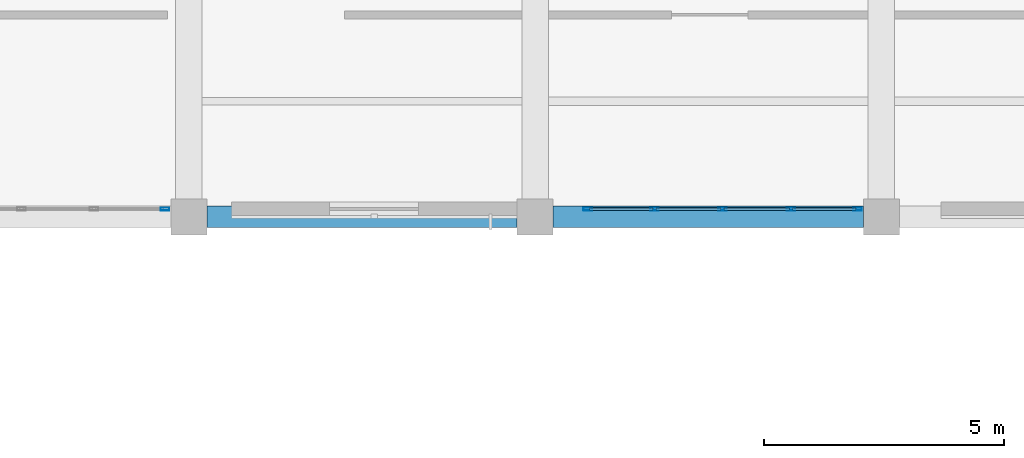
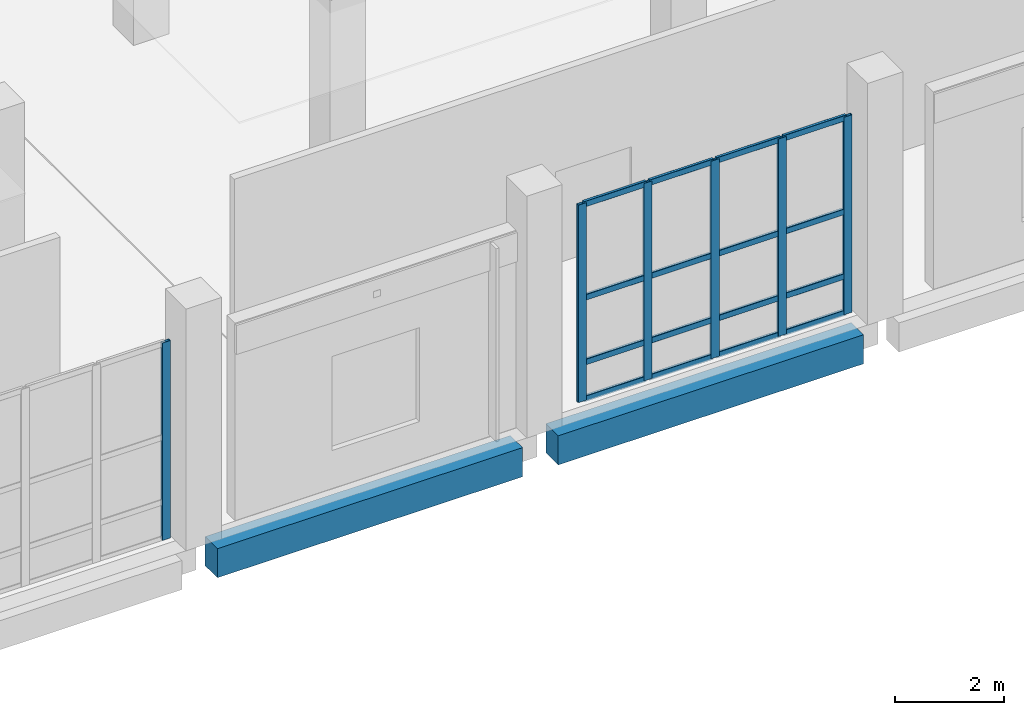
# One storey, part 55 of 137: 22 members, 2 beams, 2 elements without a shape of their own.
"""IFC4 building model written with IfcOpenShell, lengths in metres."""

from ifc_helpers import new_model, si_unit, direction, frame, origin, origin_2d, place, context, subcontext, project, spatial, rectangle, hollow_rectangle, extrude, material, material_profile, profile_set, type_object, element, aggregate, save


model = new_model("IFC4")

# Units and contexts
model_context = context("Model", 3, precision=1e-05, world=origin(), true_north=direction((0.0, 1.0)))
body_context = subcontext(model_context, "Body", "Model", "MODEL_VIEW")
ifc_project = project(units=[si_unit("LENGTHUNIT", "METRE"), si_unit("AREAUNIT", "SQUARE_METRE"), si_unit("VOLUMEUNIT", "CUBIC_METRE"), si_unit("PLANEANGLEUNIT", "RADIAN"), si_unit("MASSUNIT", "GRAM", prefix="KILO")], contexts=[model_context])

# Site, building, storey
site_placement = place(None, origin())
site = spatial("IfcSite", under=ifc_project, at=site_placement, CompositionType="ELEMENT")
building_placement = place(site_placement, origin())
building = spatial("IfcBuilding", under=site, at=building_placement, Name="Kalmorath City Hall", CompositionType="ELEMENT")
storey_placement = place(building_placement, origin())
storey = spatial("IfcBuildingStorey", under=building, at=storey_placement, Name="L00", CompositionType="ELEMENT", Elevation=0.0)

# Beams
ifc_material_1 = material(Name="Concrete C40/50", Category="concrete")
ifc_material_profile_1 = material_profile(ifc_material_1, rectangle(XDim=0.449951171875, YDim=0.64990234375, at=origin_2d()), Name="RC-BM-450X650")
ifc_profile_set_1 = profile_set([ifc_material_profile_1], Name="Concrete C40/50")
beam_type = type_object("IfcBeamType", Name="Concrete spandrel beam 450x650", PredefinedType="SPANDREL", material=ifc_profile_set_1)
for number, where, z_axis, x_axis, name in (
    (1, (65.175048828125, 93.60009765625, -0.62890625), (1.0, 0.0, 0.0), (0.0, 1.0, 0.0), "L00 girder CB5 X10-11/14"),
    (2, (72.375, 93.60009765625, -0.62890625), (1.0, 0.0, 0.0), (0.0, 1.0, 0.0), "L00 girder CB5 X11-12/14"),
):
    element("IfcBeam", number, at=place(storey_placement, frame(where, z_axis=z_axis, x_axis=x_axis)), inside=storey, type_object=beam_type, Name=name, PredefinedType="SPANDREL", context=body_context, shape_type="SweptSolid", body=[
        extrude(rectangle(XDim=0.449951171875, YDim=0.64990234375, at=origin_2d()), origin(), (0.0, 0.0, 1.0), 6.449951171875),
    ])

# Curtain wall, members
ifc_material_2 = material(Name="Anodised aluminium and laminated glass", Category="aluminium")
curtain_wall_type_1 = type_object("IfcCurtainWallType", Name="Unitised hurricane curtain wall 5674x4411 M1550", PredefinedType="NOTDEFINED", material=ifc_material_2)
curtain_wall_1_placement = place(storey_placement, origin())
curtain_wall_1 = element("IfcCurtainWall", 3, at=curtain_wall_1_placement, inside=storey, type_object=curtain_wall_type_1, Name="L00 curtain wall CW-57X44M16 #51", PredefinedType="NOTDEFINED")
ifc_material_3 = material(Name="Anodised aluminium framing", Category="aluminium")
ifc_material_profile_2 = material_profile(ifc_material_3, hollow_rectangle(XDim=0.06494140625, YDim=0.179931640625, WallThickness=0.00390625, InnerFilletRadius=0.00390625, OuterFilletRadius=0.008056640625, at=origin_2d()), Name="ALU-MUL-180X65X4")
ifc_profile_set_2 = profile_set([ifc_material_profile_2], Name="Anodised aluminium framing")
member_type_1 = type_object("IfcMemberType", Name="Curtain-wall courtyard mullion 180x65", PredefinedType="MULLION", material=ifc_profile_set_2)
member_1_placement = place(storey_placement, frame((78.702392578125, 93.760009765625, 0.0), z_axis=(0.0, 0.0, 1.0), x_axis=(0.0, -1.0, 0.0)))
member_1 = element("IfcMember", 4, at=member_1_placement, type_object=member_type_1, Name="CW-57X44M16 mullion 1", PredefinedType="MULLION", context=body_context, shape_type="SweptSolid", body=[
    extrude(hollow_rectangle(XDim=0.06494140625, YDim=0.179931640625, WallThickness=0.00390625, InnerFilletRadius=0.00390625, OuterFilletRadius=0.008056640625, at=origin_2d()), origin(), (0.0, 0.0, 1.0), 4.410888671875),
])
member_2_placement = place(storey_placement, frame((77.316650390625, 93.760009765625, 0.0), z_axis=(0.0, 0.0, 1.0), x_axis=(0.0, -1.0, 0.0)))
member_2 = element("IfcMember", 5, at=member_2_placement, type_object=member_type_1, Name="CW-57X44M16 mullion 2", PredefinedType="MULLION", context=body_context, shape_type="SweptSolid", body=[
    extrude(hollow_rectangle(XDim=0.06494140625, YDim=0.179931640625, WallThickness=0.00390625, InnerFilletRadius=0.00390625, OuterFilletRadius=0.008056640625, at=origin_2d()), origin(), (0.0, 0.0, 1.0), 4.410888671875),
])
member_3_placement = place(storey_placement, frame((75.898193359375, 93.760009765625, 0.0), z_axis=(0.0, 0.0, 1.0), x_axis=(0.0, -1.0, 0.0)))
member_3 = element("IfcMember", 6, at=member_3_placement, type_object=member_type_1, Name="CW-57X44M16 mullion 3", PredefinedType="MULLION", context=body_context, shape_type="SweptSolid", body=[
    extrude(hollow_rectangle(XDim=0.06494140625, YDim=0.179931640625, WallThickness=0.00390625, InnerFilletRadius=0.00390625, OuterFilletRadius=0.008056640625, at=origin_2d()), origin(), (0.0, 0.0, 1.0), 4.410888671875),
])
member_4_placement = place(storey_placement, frame((74.479736328125, 93.760009765625, 0.0), z_axis=(0.0, 0.0, 1.0), x_axis=(0.0, -1.0, 0.0)))
member_4 = element("IfcMember", 7, at=member_4_placement, type_object=member_type_1, Name="CW-57X44M16 mullion 4", PredefinedType="MULLION", context=body_context, shape_type="SweptSolid", body=[
    extrude(hollow_rectangle(XDim=0.06494140625, YDim=0.179931640625, WallThickness=0.00390625, InnerFilletRadius=0.00390625, OuterFilletRadius=0.008056640625, at=origin_2d()), origin(), (0.0, 0.0, 1.0), 4.410888671875),
])
member_5_placement = place(storey_placement, frame((73.093994140625, 93.760009765625, 0.0), z_axis=(0.0, 0.0, 1.0), x_axis=(0.0, -1.0, 0.0)))
member_5 = element("IfcMember", 8, at=member_5_placement, type_object=member_type_1, Name="CW-57X44M16 mullion 5", PredefinedType="MULLION", context=body_context, shape_type="SweptSolid", body=[
    extrude(hollow_rectangle(XDim=0.06494140625, YDim=0.179931640625, WallThickness=0.00390625, InnerFilletRadius=0.00390625, OuterFilletRadius=0.008056640625, at=origin_2d()), origin(), (0.0, 0.0, 1.0), 4.410888671875),
])

# Curtain wall, member
ifc_material_4 = material(Name="Anodised aluminium and laminated glass", Category="aluminium")
curtain_wall_type_2 = type_object("IfcCurtainWallType", Name="Unitised hurricane curtain wall 6027x4411 M1550", PredefinedType="NOTDEFINED", material=ifc_material_4)
curtain_wall_2_placement = place(storey_placement, origin())
curtain_wall_2 = element("IfcCurtainWall", 9, at=curtain_wall_2_placement, inside=storey, type_object=curtain_wall_type_2, Name="L00 curtain wall CW-60X44M16 #52", PredefinedType="NOTDEFINED")
member_6_placement = place(storey_placement, frame((64.302490234375, 93.760009765625, 0.0), z_axis=(0.0, 0.0, 1.0), x_axis=(0.0, -1.0, 0.0)))
member_6 = element("IfcMember", 10, at=member_6_placement, type_object=member_type_1, Name="CW-60X44M16 mullion 1", PredefinedType="MULLION", context=body_context, shape_type="SweptSolid", body=[
    extrude(hollow_rectangle(XDim=0.06494140625, YDim=0.179931640625, WallThickness=0.00390625, InnerFilletRadius=0.00390625, OuterFilletRadius=0.008056640625, at=origin_2d()), origin(), (0.0, 0.0, 1.0), 4.410888671875),
])
aggregate(curtain_wall_2, [member_6])

# Member
ifc_material_5 = material(Name="Anodised aluminium framing", Category="aluminium")
ifc_material_profile_3 = material_profile(ifc_material_5, hollow_rectangle(XDim=0.06005859375, YDim=0.1298828125, WallThickness=0.00341796875, InnerFilletRadius=0.00341796875, OuterFilletRadius=0.007080078125, at=origin_2d()), Name="ALU-TRN-130X60X3.5")
ifc_profile_set_3 = profile_set([ifc_material_profile_3], Name="Anodised aluminium framing")
member_type_2 = type_object("IfcMemberType", Name="Curtain-wall courtyard transom 130x60", PredefinedType="USERDEFINED", material=ifc_profile_set_3)
member_7_placement = place(storey_placement, frame((78.669921875, 93.760009765625, 0.030029296875), z_axis=(-1.0, 0.0, 0.0), x_axis=(0.0, -1.0, 0.0)))
member_7 = element("IfcMember", 11, at=member_7_placement, type_object=member_type_2, Name="CW-57X44M16 transom 1.1", ObjectType="TRANSOM", PredefinedType="USERDEFINED", context=body_context, shape_type="SweptSolid", body=[
    extrude(hollow_rectangle(XDim=0.06005859375, YDim=0.1298828125, WallThickness=0.00341796875, InnerFilletRadius=0.00341796875, OuterFilletRadius=0.007080078125, at=origin_2d()), origin(), (0.0, 0.0, 1.0), 1.32080078125),
])

member_8_placement = place(storey_placement, frame((78.669921875, 93.760009765625, 0.85009765625), z_axis=(-1.0, 0.0, 0.0), x_axis=(0.0, -1.0, 0.0)))
member_8 = element("IfcMember", 12, at=member_8_placement, type_object=member_type_2, Name="CW-57X44M16 transom 1.2", ObjectType="TRANSOM", PredefinedType="USERDEFINED", context=body_context, shape_type="SweptSolid", body=[
    extrude(hollow_rectangle(XDim=0.06005859375, YDim=0.1298828125, WallThickness=0.00341796875, InnerFilletRadius=0.00341796875, OuterFilletRadius=0.007080078125, at=origin_2d()), origin(), (0.0, 0.0, 1.0), 1.32080078125),
])

member_9_placement = place(storey_placement, frame((78.669921875, 93.760009765625, 2.2939453125), z_axis=(-1.0, 0.0, 0.0), x_axis=(0.0, -1.0, 0.0)))
member_9 = element("IfcMember", 13, at=member_9_placement, type_object=member_type_2, Name="CW-57X44M16 transom 1.3", ObjectType="TRANSOM", PredefinedType="USERDEFINED", context=body_context, shape_type="SweptSolid", body=[
    extrude(hollow_rectangle(XDim=0.06005859375, YDim=0.1298828125, WallThickness=0.00341796875, InnerFilletRadius=0.00341796875, OuterFilletRadius=0.007080078125, at=origin_2d()), origin(), (0.0, 0.0, 1.0), 1.32080078125),
])

member_10_placement = place(storey_placement, frame((78.669921875, 93.760009765625, 4.381103515625), z_axis=(-1.0, 0.0, 0.0), x_axis=(0.0, -1.0, 0.0)))
member_10 = element("IfcMember", 14, at=member_10_placement, type_object=member_type_2, Name="CW-57X44M16 transom 1.4", ObjectType="TRANSOM", PredefinedType="USERDEFINED", context=body_context, shape_type="SweptSolid", body=[
    extrude(hollow_rectangle(XDim=0.06005859375, YDim=0.1298828125, WallThickness=0.00341796875, InnerFilletRadius=0.00341796875, OuterFilletRadius=0.007080078125, at=origin_2d()), origin(), (0.0, 0.0, 1.0), 1.32080078125),
])

member_11_placement = place(storey_placement, frame((77.2841796875, 93.760009765625, 0.030029296875), z_axis=(-1.0, 0.0, 0.0), x_axis=(0.0, -1.0, 0.0)))
member_11 = element("IfcMember", 15, at=member_11_placement, type_object=member_type_2, Name="CW-57X44M16 transom 2.1", ObjectType="TRANSOM", PredefinedType="USERDEFINED", context=body_context, shape_type="SweptSolid", body=[
    extrude(hollow_rectangle(XDim=0.06005859375, YDim=0.1298828125, WallThickness=0.00341796875, InnerFilletRadius=0.00341796875, OuterFilletRadius=0.007080078125, at=origin_2d()), origin(), (0.0, 0.0, 1.0), 1.353515625),
])

member_12_placement = place(storey_placement, frame((77.2841796875, 93.760009765625, 0.85009765625), z_axis=(-1.0, 0.0, 0.0), x_axis=(0.0, -1.0, 0.0)))
member_12 = element("IfcMember", 16, at=member_12_placement, type_object=member_type_2, Name="CW-57X44M16 transom 2.2", ObjectType="TRANSOM", PredefinedType="USERDEFINED", context=body_context, shape_type="SweptSolid", body=[
    extrude(hollow_rectangle(XDim=0.06005859375, YDim=0.1298828125, WallThickness=0.00341796875, InnerFilletRadius=0.00341796875, OuterFilletRadius=0.007080078125, at=origin_2d()), origin(), (0.0, 0.0, 1.0), 1.353515625),
])

member_13_placement = place(storey_placement, frame((77.2841796875, 93.760009765625, 2.2939453125), z_axis=(-1.0, 0.0, 0.0), x_axis=(0.0, -1.0, 0.0)))
member_13 = element("IfcMember", 17, at=member_13_placement, type_object=member_type_2, Name="CW-57X44M16 transom 2.3", ObjectType="TRANSOM", PredefinedType="USERDEFINED", context=body_context, shape_type="SweptSolid", body=[
    extrude(hollow_rectangle(XDim=0.06005859375, YDim=0.1298828125, WallThickness=0.00341796875, InnerFilletRadius=0.00341796875, OuterFilletRadius=0.007080078125, at=origin_2d()), origin(), (0.0, 0.0, 1.0), 1.353515625),
])

member_14_placement = place(storey_placement, frame((77.2841796875, 93.760009765625, 4.381103515625), z_axis=(-1.0, 0.0, 0.0), x_axis=(0.0, -1.0, 0.0)))
member_14 = element("IfcMember", 18, at=member_14_placement, type_object=member_type_2, Name="CW-57X44M16 transom 2.4", ObjectType="TRANSOM", PredefinedType="USERDEFINED", context=body_context, shape_type="SweptSolid", body=[
    extrude(hollow_rectangle(XDim=0.06005859375, YDim=0.1298828125, WallThickness=0.00341796875, InnerFilletRadius=0.00341796875, OuterFilletRadius=0.007080078125, at=origin_2d()), origin(), (0.0, 0.0, 1.0), 1.353515625),
])

member_15_placement = place(storey_placement, frame((75.86572265625, 93.760009765625, 0.030029296875), z_axis=(-1.0, 0.0, 0.0), x_axis=(0.0, -1.0, 0.0)))
member_15 = element("IfcMember", 19, at=member_15_placement, type_object=member_type_2, Name="CW-57X44M16 transom 3.1", ObjectType="TRANSOM", PredefinedType="USERDEFINED", context=body_context, shape_type="SweptSolid", body=[
    extrude(hollow_rectangle(XDim=0.06005859375, YDim=0.1298828125, WallThickness=0.00341796875, InnerFilletRadius=0.00341796875, OuterFilletRadius=0.007080078125, at=origin_2d()), origin(), (0.0, 0.0, 1.0), 1.353515625),
])

member_16_placement = place(storey_placement, frame((75.86572265625, 93.760009765625, 0.85009765625), z_axis=(-1.0, 0.0, 0.0), x_axis=(0.0, -1.0, 0.0)))
member_16 = element("IfcMember", 20, at=member_16_placement, type_object=member_type_2, Name="CW-57X44M16 transom 3.2", ObjectType="TRANSOM", PredefinedType="USERDEFINED", context=body_context, shape_type="SweptSolid", body=[
    extrude(hollow_rectangle(XDim=0.06005859375, YDim=0.1298828125, WallThickness=0.00341796875, InnerFilletRadius=0.00341796875, OuterFilletRadius=0.007080078125, at=origin_2d()), origin(), (0.0, 0.0, 1.0), 1.353515625),
])

member_17_placement = place(storey_placement, frame((75.86572265625, 93.760009765625, 2.2939453125), z_axis=(-1.0, 0.0, 0.0), x_axis=(0.0, -1.0, 0.0)))
member_17 = element("IfcMember", 21, at=member_17_placement, type_object=member_type_2, Name="CW-57X44M16 transom 3.3", ObjectType="TRANSOM", PredefinedType="USERDEFINED", context=body_context, shape_type="SweptSolid", body=[
    extrude(hollow_rectangle(XDim=0.06005859375, YDim=0.1298828125, WallThickness=0.00341796875, InnerFilletRadius=0.00341796875, OuterFilletRadius=0.007080078125, at=origin_2d()), origin(), (0.0, 0.0, 1.0), 1.353515625),
])

member_18_placement = place(storey_placement, frame((75.86572265625, 93.760009765625, 4.381103515625), z_axis=(-1.0, 0.0, 0.0), x_axis=(0.0, -1.0, 0.0)))
member_18 = element("IfcMember", 22, at=member_18_placement, type_object=member_type_2, Name="CW-57X44M16 transom 3.4", ObjectType="TRANSOM", PredefinedType="USERDEFINED", context=body_context, shape_type="SweptSolid", body=[
    extrude(hollow_rectangle(XDim=0.06005859375, YDim=0.1298828125, WallThickness=0.00341796875, InnerFilletRadius=0.00341796875, OuterFilletRadius=0.007080078125, at=origin_2d()), origin(), (0.0, 0.0, 1.0), 1.353515625),
])

member_19_placement = place(storey_placement, frame((74.447265625, 93.760009765625, 0.030029296875), z_axis=(-1.0, 0.0, 0.0), x_axis=(0.0, -1.0, 0.0)))
member_19 = element("IfcMember", 23, at=member_19_placement, type_object=member_type_2, Name="CW-57X44M16 transom 4.1", ObjectType="TRANSOM", PredefinedType="USERDEFINED", context=body_context, shape_type="SweptSolid", body=[
    extrude(hollow_rectangle(XDim=0.06005859375, YDim=0.1298828125, WallThickness=0.00341796875, InnerFilletRadius=0.00341796875, OuterFilletRadius=0.007080078125, at=origin_2d()), origin(), (0.0, 0.0, 1.0), 1.32080078125),
])

member_20_placement = place(storey_placement, frame((74.447265625, 93.760009765625, 0.85009765625), z_axis=(-1.0, 0.0, 0.0), x_axis=(0.0, -1.0, 0.0)))
member_20 = element("IfcMember", 24, at=member_20_placement, type_object=member_type_2, Name="CW-57X44M16 transom 4.2", ObjectType="TRANSOM", PredefinedType="USERDEFINED", context=body_context, shape_type="SweptSolid", body=[
    extrude(hollow_rectangle(XDim=0.06005859375, YDim=0.1298828125, WallThickness=0.00341796875, InnerFilletRadius=0.00341796875, OuterFilletRadius=0.007080078125, at=origin_2d()), origin(), (0.0, 0.0, 1.0), 1.32080078125),
])

member_21_placement = place(storey_placement, frame((74.447265625, 93.760009765625, 2.2939453125), z_axis=(-1.0, 0.0, 0.0), x_axis=(0.0, -1.0, 0.0)))
member_21 = element("IfcMember", 25, at=member_21_placement, type_object=member_type_2, Name="CW-57X44M16 transom 4.3", ObjectType="TRANSOM", PredefinedType="USERDEFINED", context=body_context, shape_type="SweptSolid", body=[
    extrude(hollow_rectangle(XDim=0.06005859375, YDim=0.1298828125, WallThickness=0.00341796875, InnerFilletRadius=0.00341796875, OuterFilletRadius=0.007080078125, at=origin_2d()), origin(), (0.0, 0.0, 1.0), 1.32080078125),
])

member_22_placement = place(storey_placement, frame((74.447265625, 93.760009765625, 4.381103515625), z_axis=(-1.0, 0.0, 0.0), x_axis=(0.0, -1.0, 0.0)))
member_22 = element("IfcMember", 26, at=member_22_placement, type_object=member_type_2, Name="CW-57X44M16 transom 4.4", ObjectType="TRANSOM", PredefinedType="USERDEFINED", context=body_context, shape_type="SweptSolid", body=[
    extrude(hollow_rectangle(XDim=0.06005859375, YDim=0.1298828125, WallThickness=0.00341796875, InnerFilletRadius=0.00341796875, OuterFilletRadius=0.007080078125, at=origin_2d()), origin(), (0.0, 0.0, 1.0), 1.32080078125),
])

aggregate(curtain_wall_1, [member_1, member_2, member_3, member_4, member_5, member_7, member_8, member_9, member_10, member_11, member_12, member_13, member_14, member_15, member_16, member_17, member_18, member_19, member_20, member_21, member_22])

save(model, "model.ifc")
